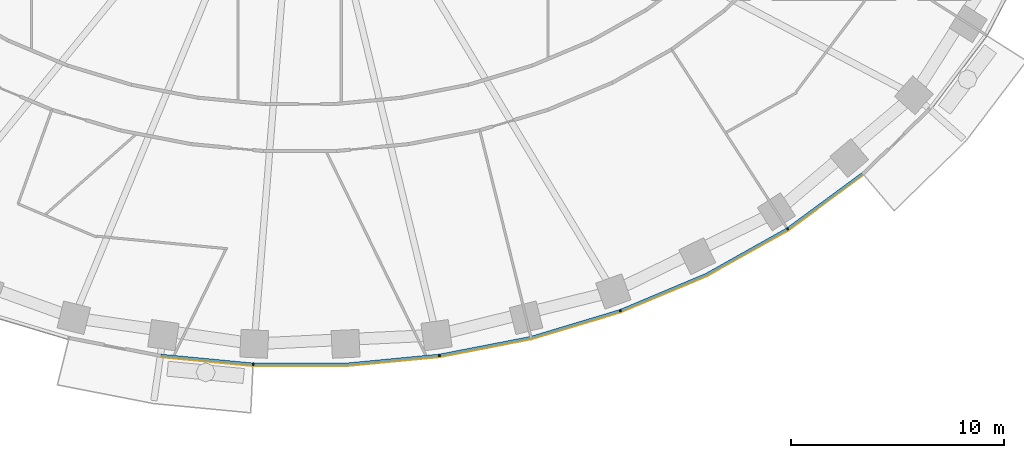
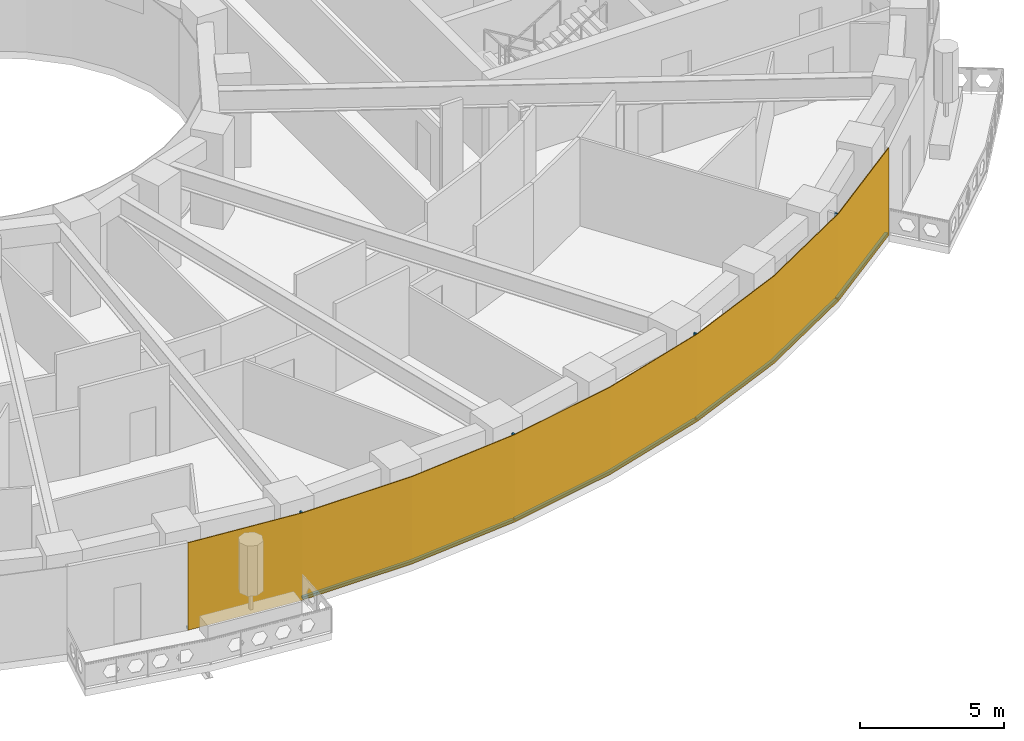
# One storey, part 10 of 17: 9 members, 1 curtain wall.
"""IFC4 building model written with IfcOpenShell, lengths in metres."""

from ifc_helpers import new_model, si_unit, direction, frame, origin, origin_2d, place, context, subcontext, project, spatial, polyline, rectangle, outline, extrude, material, layer, layer_set, material_profile, profile_set, type_object, element, aggregate, save


model = new_model("IFC4")

# Units and contexts
model_context = context("Model", 3, precision=1e-05, world=origin(), true_north=direction((0.0, 1.0)))
body_context = subcontext(model_context, "Body", "Model", "MODEL_VIEW")
ifc_project = project(units=[si_unit("LENGTHUNIT", "METRE"), si_unit("AREAUNIT", "SQUARE_METRE"), si_unit("VOLUMEUNIT", "CUBIC_METRE"), si_unit("PLANEANGLEUNIT", "RADIAN"), si_unit("MASSUNIT", "GRAM", prefix="KILO")], contexts=[model_context])

# Member
ifc_material_1 = material(Name="Aluminium 6063-T6 black anodised", Category="aluminium")
ifc_material_profile = material_profile(ifc_material_1, rectangle(XDim=0.1201171875, YDim=0.06005859375, at=origin_2d()), Name="120x60")
ifc_profile_set = profile_set([ifc_material_profile], Name="Aluminium 6063-T6 black anodised")
member_type_1 = type_object("IfcMemberType", Name="ENV-MULLION-A-120", PredefinedType="MULLION", material=ifc_profile_set)
site_placement = place(None, origin())
building_placement = place(site_placement, origin())
storey_placement = place(building_placement, frame((0.0, 0.0, 112.0)))
member_1_placement = place(storey_placement, frame((-2.188720703125, -27.856201171875, 0.0), z_axis=(0.0, 0.0, 1.0), x_axis=(0.047557873581, 0.998868484166, 0.0)))
member_1 = element("IfcMember", 1, at=member_1_placement, type_object=member_type_1, Name="Mullion A radial 35", PredefinedType="MULLION", context=body_context, shape_type="SweptSolid", body=[
    extrude(rectangle(XDim=0.1201171875, YDim=0.06005859375, at=origin_2d()), origin(), (0.0, 0.0, 1.0), 3.699951171875),
])

member_2_placement = place(storey_placement, frame((6.54638671875, -27.440185546875, 0.0), z_axis=(0.0, 0.0, 1.0), x_axis=(-0.143082012705, 0.989710835366, 0.0)))
member_2 = element("IfcMember", 2, at=member_2_placement, type_object=member_type_1, Name="Mullion A radial 37", PredefinedType="MULLION", context=body_context, shape_type="SweptSolid", body=[
    extrude(rectangle(XDim=0.1201171875, YDim=0.06005859375, at=origin_2d()), origin(), (0.0, 0.0, 1.0), 3.699951171875),
])

member_3_placement = place(storey_placement, frame((15.0341796875, -25.34375, 0.0), z_axis=(0.0, 0.0, 1.0), x_axis=(-0.338379256581, 0.941009818608, 0.0)))
member_3 = element("IfcMember", 3, at=member_3_placement, type_object=member_type_1, Name="Mullion A radial 39", PredefinedType="MULLION", context=body_context, shape_type="SweptSolid", body=[
    extrude(rectangle(XDim=0.1201171875, YDim=0.06005859375, at=origin_2d()), origin(), (0.0, 0.0, 1.0), 3.699951171875),
])

member_4_placement = place(storey_placement, frame((22.882568359375, -21.506591796875, 0.0), z_axis=(0.0, 0.0, 1.0), x_axis=(-0.542279153225, 0.840198381323, 0.0)))
member_4 = element("IfcMember", 4, at=member_4_placement, type_object=member_type_1, Name="Mullion A radial 41", PredefinedType="MULLION", context=body_context, shape_type="SweptSolid", body=[
    extrude(rectangle(XDim=0.1201171875, YDim=0.06005859375, at=origin_2d()), origin(), (0.0, 0.0, 1.0), 3.699951171875),
])

ifc_material_2 = material(Name="Aluminium 6063-T6 black anodised", Category="aluminium")
member_type_2 = type_object("IfcMemberType", Name="ENV-TRANSOM-A", PredefinedType="USERDEFINED", material=ifc_material_2)
member_5_placement = place(storey_placement, origin())
member_5 = element("IfcMember", 5, at=member_5_placement, type_object=member_type_2, Name="Transom A radial 34-35", ObjectType="TRANSOM", PredefinedType="USERDEFINED", context=body_context, shape_type="SweptSolid", body=[
    extrude(outline(polyline([(-6.53515625, -27.50146484375), (-2.219482421875, -27.913330078125), (-2.2138671875, -27.793212890625), (-6.51806640625, -27.382568359375), (-6.53515625, -27.50146484375)])), origin(), (0.0, 0.0, 1.0), 0.10009765625),
])

member_6_placement = place(storey_placement, origin())
member_6 = element("IfcMember", 6, at=member_6_placement, type_object=member_type_2, Name="Transom A radial 35-37", ObjectType="TRANSOM", PredefinedType="USERDEFINED", context=body_context, shape_type="SweptSolid", body=[
    extrude(outline(polyline([(-2.163818359375, -27.916015625), (2.191650390625, -27.916015625), (6.527099609375, -27.502197265625), (6.510009765625, -27.38330078125), (2.185791015625, -27.7958984375), (-2.157958984375, -27.7958984375), (-2.163818359375, -27.916015625)])), origin(), (0.0, 0.0, 1.0), 0.10009765625),
])

member_7_placement = place(storey_placement, origin())
member_7 = element("IfcMember", 7, at=member_7_placement, type_object=member_type_2, Name="Transom A radial 37-39", ObjectType="TRANSOM", PredefinedType="USERDEFINED", context=body_context, shape_type="SweptSolid", body=[
    extrude(outline(polyline([(6.58251953125, -27.494140625), (10.857666015625, -26.6630859375), (15.027587890625, -25.408203125), (14.987060546875, -25.295166015625), (10.828857421875, -26.54638671875), (6.5654296875, -27.375244140625), (6.58251953125, -27.494140625)])), origin(), (0.0, 0.0, 1.0), 0.10009765625),
])

member_8_placement = place(storey_placement, origin())
member_8 = element("IfcMember", 8, at=member_8_placement, type_object=member_type_2, Name="Transom A radial 39-41", ObjectType="TRANSOM", PredefinedType="USERDEFINED", context=body_context, shape_type="SweptSolid", body=[
    extrude(outline(polyline([(15.080322265625, -25.389404296875), (19.093994140625, -23.701416015625), (22.890625, -21.570556640625), (22.825439453125, -21.469482421875), (19.041259765625, -23.593505859375), (15.03955078125, -25.276123046875), (15.080322265625, -25.389404296875)])), origin(), (0.0, 0.0, 1.0), 0.10009765625),
])

member_9_placement = place(storey_placement, origin())
member_9 = element("IfcMember", 9, at=member_9_placement, type_object=member_type_2, Name="Transom A radial 41-42", ObjectType="TRANSOM", PredefinedType="USERDEFINED", context=body_context, shape_type="SweptSolid", body=[
    extrude(outline(polyline([(22.937744140625, -21.540283203125), (26.42626953125, -18.970703125), (26.348388671875, -18.87890625), (22.87255859375, -21.439208984375), (22.937744140625, -21.540283203125)])), origin(), (0.0, 0.0, 1.0), 0.10009765625),
])

# Site, building, storey
site = spatial("IfcSite", under=ifc_project, at=site_placement, CompositionType="ELEMENT")
building = spatial("IfcBuilding", under=site, at=building_placement, Name="Noorbagh Ring Tower", CompositionType="ELEMENT")
storey = spatial("IfcBuildingStorey", under=building, at=storey_placement, Name="L25", CompositionType="ELEMENT", Elevation=112.0)

# Curtain wall
ifc_material_3 = material(Name="Glass dark tinted laminated", Category="glass")
ifc_layer = layer(ifc_material_3, 0.031982421875)
ifc_layer_set = layer_set([ifc_layer], Name="Glass dark tinted laminated")
curtain_wall_type = type_object("IfcCurtainWallType", Name="ENV-CW-A", PredefinedType="NOTDEFINED", material=ifc_layer_set)
curtain_wall_placement = place(storey_placement, origin())
curtain_wall = element("IfcCurtainWall", 10, at=curtain_wall_placement, inside=storey, type_object=curtain_wall_type, Name="Curtain wall A R34", PredefinedType="NOTDEFINED", context=body_context, shape_type="SweptSolid", body=[
    extrude(outline(polyline([(-6.539794921875, -27.533203125), (-2.193115234375, -27.947998046875), (2.193115234375, -27.947998046875), (6.559814453125, -27.53125), (10.865234375, -26.6943359375), (15.065185546875, -25.430419921875), (19.108154296875, -23.730224609375), (22.9326171875, -21.583740234375), (26.447021484375, -18.9951171875), (26.42626953125, -18.970703125), (22.9150390625, -21.556884765625), (19.093994140625, -23.701416015625), (15.054443359375, -25.400146484375), (10.857666015625, -26.6630859375), (6.55517578125, -27.49951171875), (2.191650390625, -27.916015625), (-2.191650390625, -27.916015625), (-6.53515625, -27.50146484375), (-6.539794921875, -27.533203125)])), origin(), (0.0, 0.0, 1.0), 3.699951171875),
])

aggregate(curtain_wall, [member_1, member_2, member_3, member_4, member_5, member_6, member_7, member_8, member_9])

save(model, "model.ifc")
